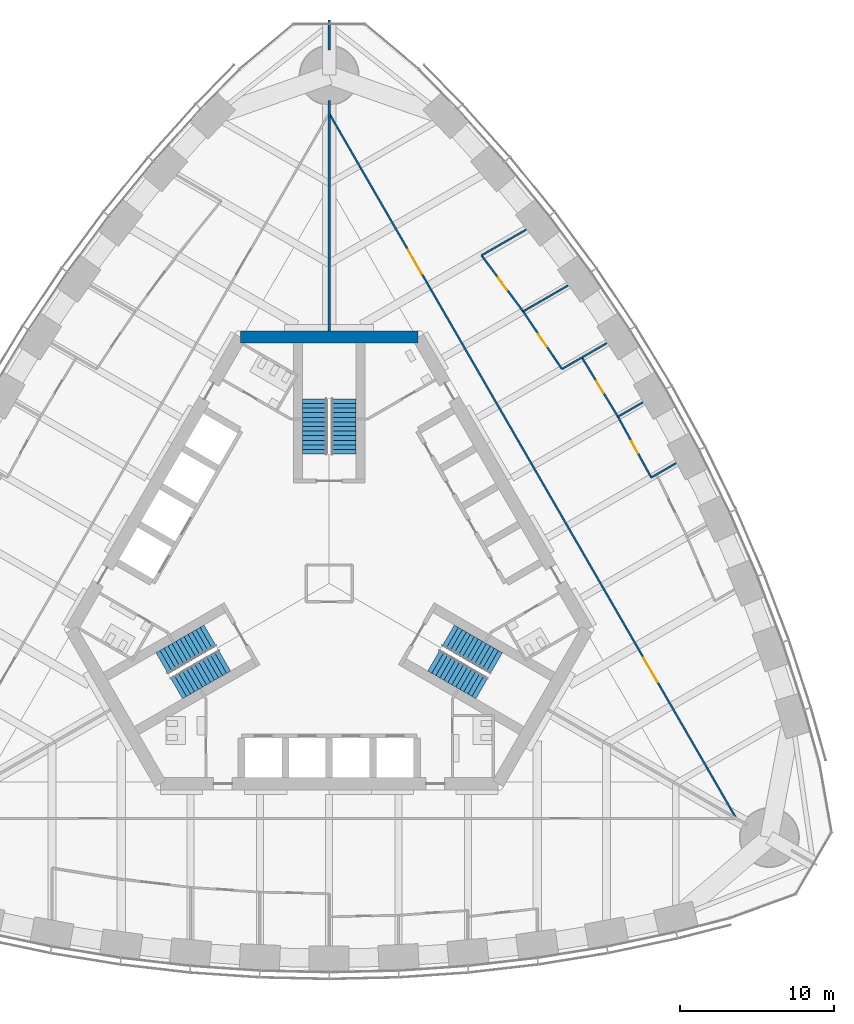
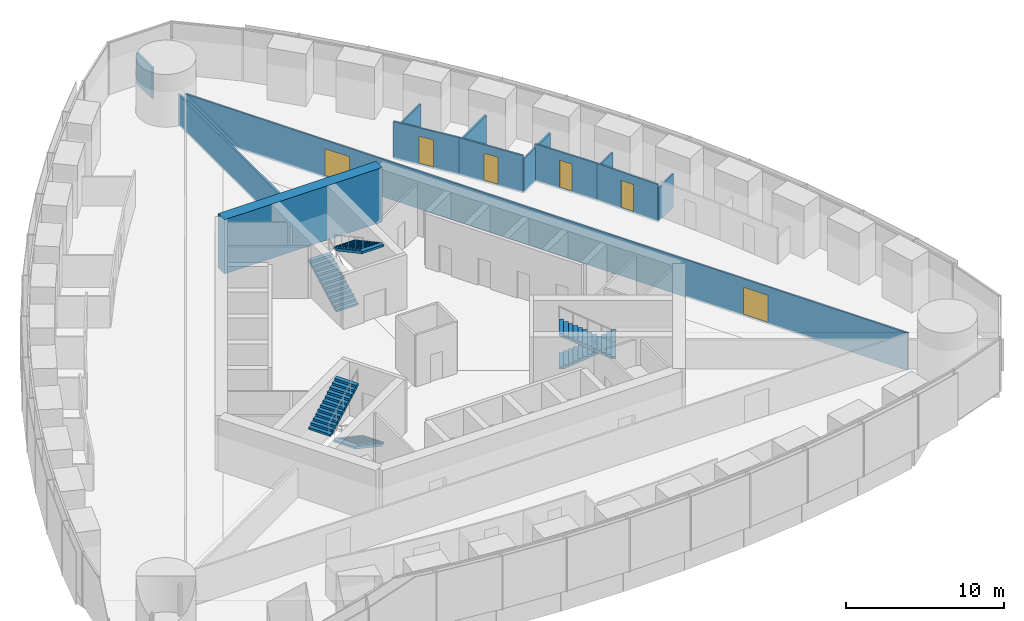
# One storey, part 14 of 19: 13 walls, 6 doors, 6 stair flights, 6 openings, 3 elements without a shape of their own.
"""IFC4 building model written with IfcOpenShell, lengths in metres."""

from ifc_helpers import new_model, si_unit, direction, frame, frame_2d, origin, place, context, subcontext, project, spatial, polyline, rectangle, outline, extrude, material, layer, layer_set, type_object, element, fill, aggregate, save


model = new_model("IFC4")

# Units and contexts
model_context = context("Model", 3, precision=1e-05, world=origin(), true_north=direction((0.0, 1.0)))
body_context = subcontext(model_context, "Body", "Model", "MODEL_VIEW")
ifc_project = project(units=[si_unit("LENGTHUNIT", "METRE"), si_unit("AREAUNIT", "SQUARE_METRE"), si_unit("VOLUMEUNIT", "CUBIC_METRE"), si_unit("PLANEANGLEUNIT", "RADIAN"), si_unit("MASSUNIT", "GRAM", prefix="KILO")], contexts=[model_context])

# Site, building, storey
site_placement = place(None, origin())
site = spatial("IfcSite", under=ifc_project, at=site_placement, CompositionType="ELEMENT")
building_placement = place(site_placement, origin())
building = spatial("IfcBuilding", under=site, at=building_placement, Name="Trefoil Bronze Tower", CompositionType="ELEMENT")
storey_placement = place(building_placement, frame((0.0, 0.0, 189.699951171875)))
storey = spatial("IfcBuildingStorey", under=building, at=storey_placement, Name="L43", CompositionType="ELEMENT", Elevation=189.699951171875)

# Wall
ifc_material_1 = material(Name="Concrete B80", Category="concrete")
ifc_layer_1 = layer(ifc_material_1, 0.800048828125)
ifc_layer_set_1 = layer_set([ifc_layer_1], Name="Core wall 800")
wall_type_1 = type_object("IfcWallType", Name="Core wall 800", PredefinedType="SHEAR", material=ifc_layer_set_1)
wall_1_placement = place(storey_placement, frame((5.7734375, 16.0, 0.0), z_axis=(0.0, 0.0, 1.0), x_axis=(-1.0, 0.0, 0.0)))
element("IfcWall", 1, at=wall_1_placement, inside=storey, type_object=wall_type_1, Name="Core short wall 2 L43", PredefinedType="SHEAR", context=body_context, shape_type="SweptSolid", body=[
    extrude(rectangle(XDim=11.546875, YDim=0.800048828125, at=frame_2d((5.7734375, 0.0))), origin(), (0.0, 0.0, 1.0), 4.199951171875),
])

# Wall, openings, doors
ifc_material_2 = material(Name="Glazed partition", Category="glass")
ifc_layer_2 = layer(ifc_material_2, 0.1201171875)
ifc_layer_set_2 = layer_set([ifc_layer_2], Name="Glazed partition 120")
wall_type_2 = type_object("IfcWallType", Name="Glazed partition 120", PredefinedType="PARTITIONING", material=ifc_layer_set_2)
wall_2_placement = place(storey_placement, frame((26.41455078125, -15.2314453125, 0.0), z_axis=(0.0, 0.0, 1.0), x_axis=(-0.50000091641, 0.866024874695, 0.0)))
wall_2 = element("IfcWall", 2, at=wall_2_placement, inside=storey, type_object=wall_type_2, Name="Partition F2 L43", PredefinedType="PARTITIONING", context=body_context, shape_type="SweptSolid", body=[
    extrude(rectangle(XDim=52.79638671875, YDim=0.1201171875, at=frame_2d((26.398193359375, 0.0))), origin(), (0.0, 0.0, 1.0), 2.900146484375),
])
opening_1_placement = place(wall_2_placement, frame((10.199951171875, 0.0, 0.14990234375)))
opening_1 = element("IfcOpeningElement", 3, at=opening_1_placement, cuts=wall_2, Name="Opening D10", PredefinedType="OPENING", context=body_context, shape_type="SweptSolid", body=[
    extrude(rectangle(XDim=1.800048828125, YDim=2.10009765625, at=frame_2d((0.89990234375, 1.050048828125))), frame((0.0, 0.070068359375, 0.0), z_axis=(0.0, -1.0, 0.0), x_axis=(1.0, 0.0, 0.0)), (0.0, 0.0, 1.0), 0.14013671875),
])
opening_2_placement = place(wall_2_placement, frame((40.800048828125, 0.0, 0.14990234375)))
opening_2 = element("IfcOpeningElement", 4, at=opening_2_placement, cuts=wall_2, Name="Opening D10", PredefinedType="OPENING", context=body_context, shape_type="SweptSolid", body=[
    extrude(rectangle(XDim=1.800048828125, YDim=2.10009765625, at=frame_2d((0.89990234375, 1.050048828125))), frame((0.0, 0.070068359375, 0.0), z_axis=(0.0, -1.0, 0.0), x_axis=(1.0, 0.0, 0.0)), (0.0, 0.0, 1.0), 0.14013671875),
])
ifc_material_3 = material(Name="Timber door", Category="wood")
door_type_1 = type_object("IfcDoorType", Name="Double door 1800", OperationType="DOUBLE_DOOR_SINGLE_SWING", PredefinedType="DOOR", material=ifc_material_3)
door_1_placement = place(opening_1_placement, origin())
door_1 = element("IfcDoor", 5, at=door_1_placement, inside=storey, type_object=door_type_1, Name="Corridor door F2 L43", OperationType="DOUBLE_DOOR_SINGLE_SWING", OverallHeight=2.10009765625, OverallWidth=1.800048828125, PredefinedType="DOOR", context=body_context, shape_type="SweptSolid", body=[
    extrude(rectangle(XDim=1.800048828125, YDim=2.10009765625, at=frame_2d((0.89990234375, 1.050048828125))), frame((0.0, 0.02490234375, 0.0), z_axis=(0.0, -1.0, 0.0), x_axis=(1.0, 0.0, 0.0)), (0.0, 0.0, 1.0), 0.050048828125),
])
fill(opening_1, door_1)
door_2_placement = place(opening_2_placement, origin())
door_2 = element("IfcDoor", 6, at=door_2_placement, inside=storey, type_object=door_type_1, Name="Corridor door F2 L43", OperationType="DOUBLE_DOOR_SINGLE_SWING", OverallHeight=2.10009765625, OverallWidth=1.800048828125, PredefinedType="DOOR", context=body_context, shape_type="SweptSolid", body=[
    extrude(rectangle(XDim=1.800048828125, YDim=2.10009765625, at=frame_2d((0.89990234375, 1.050048828125))), frame((0.0, 0.02490234375, 0.0), z_axis=(0.0, -1.0, 0.0), x_axis=(1.0, 0.0, 0.0)), (0.0, 0.0, 1.0), 0.050048828125),
])
fill(opening_2, door_2)

# Wall, opening, door
wall_3_placement = place(storey_placement, frame((18.75, 10.825439453125, 0.0), z_axis=(0.0, 0.0, 1.0), x_axis=(-0.519790350351, 0.85429385558, 0.0)))
wall_3 = element("IfcWall", 7, at=wall_3_placement, inside=storey, type_object=wall_type_2, Name="Partition F2 L43", PredefinedType="PARTITIONING", context=body_context, shape_type="SweptSolid", body=[
    extrude(rectangle(XDim=4.5009765625, YDim=0.1201171875, at=frame_2d((2.25048828125, 0.0))), origin(), (0.0, 0.0, 1.0), 2.900146484375),
])
opening_3_placement = place(wall_3_placement, frame((1.800048828125, 0.0, 0.14990234375)))
opening_3 = element("IfcOpeningElement", 8, at=opening_3_placement, cuts=wall_3, Name="Opening D8", PredefinedType="OPENING", context=body_context, shape_type="SweptSolid", body=[
    extrude(rectangle(XDim=0.89990234375, YDim=2.10009765625, at=frame_2d((0.449951171875, 1.050048828125))), frame((0.0, 0.070068359375, 0.0), z_axis=(0.0, -1.0, 0.0), x_axis=(1.0, 0.0, 0.0)), (0.0, 0.0, 1.0), 0.14013671875),
])
ifc_material_4 = material(Name="Timber door", Category="wood")
door_type_2 = type_object("IfcDoorType", Name="Office door 900", OperationType="SINGLE_SWING_LEFT", PredefinedType="DOOR", material=ifc_material_4)
door_3_placement = place(opening_3_placement, frame((0.89990234375, 0.0, 0.0), z_axis=(0.0, 0.0, 1.0), x_axis=(-1.0, 0.0, 0.0)))
door_3 = element("IfcDoor", 9, at=door_3_placement, inside=storey, type_object=door_type_2, Name="Focus room door F2 L43", OperationType="SINGLE_SWING_RIGHT", OverallHeight=2.10009765625, OverallWidth=0.89990234375, PredefinedType="DOOR", context=body_context, shape_type="SweptSolid", body=[
    extrude(rectangle(XDim=0.89990234375, YDim=2.10009765625, at=frame_2d((0.449951171875, 1.050048828125))), frame((0.0, 0.02490234375, 0.0), z_axis=(0.0, -1.0, 0.0), x_axis=(1.0, 0.0, 0.0)), (0.0, 0.0, 1.0), 0.050048828125),
])
fill(opening_3, door_3)

wall_4_placement = place(storey_placement, frame((15.111328125, 13.920654296875, 0.0), z_axis=(0.0, 0.0, 1.0), x_axis=(-0.558466624917, 0.829526991034, 0.0)))
wall_4 = element("IfcWall", 10, at=wall_4_placement, inside=storey, type_object=wall_type_2, Name="Partition F2 L43", PredefinedType="PARTITIONING", context=body_context, shape_type="SweptSolid", body=[
    extrude(rectangle(XDim=4.5107421875, YDim=0.1201171875, at=frame_2d((2.25537109375, 0.0))), origin(), (0.0, 0.0, 1.0), 2.900146484375),
])
opening_4_placement = place(wall_4_placement, frame((1.75, 0.0, 0.14990234375)))
opening_4 = element("IfcOpeningElement", 11, at=opening_4_placement, cuts=wall_4, Name="Opening D9", PredefinedType="OPENING", context=body_context, shape_type="SweptSolid", body=[
    extrude(rectangle(XDim=1.0, YDim=2.10009765625, at=frame_2d((0.5, 1.050048828125))), frame((0.0, 0.070068359375, 0.0), z_axis=(0.0, -1.0, 0.0), x_axis=(1.0, 0.0, 0.0)), (0.0, 0.0, 1.0), 0.14013671875),
])
ifc_material_5 = material(Name="Glazed timber door", Category="wood")
door_type_3 = type_object("IfcDoorType", Name="Meeting room door 1000", OperationType="SINGLE_SWING_LEFT", PredefinedType="DOOR", material=ifc_material_5)
door_4_placement = place(opening_4_placement, frame((1.0, 0.0, 0.0), z_axis=(0.0, 0.0, 1.0), x_axis=(-1.0, 0.0, 0.0)))
door_4 = element("IfcDoor", 12, at=door_4_placement, inside=storey, type_object=door_type_3, Name="Meeting room door F2 L43", OperationType="SINGLE_SWING_RIGHT", OverallHeight=2.10009765625, OverallWidth=1.0, PredefinedType="DOOR", context=body_context, shape_type="SweptSolid", body=[
    extrude(rectangle(XDim=1.0, YDim=2.10009765625, at=frame_2d((0.5, 1.050048828125))), frame((0.0, 0.02490234375, 0.0), z_axis=(0.0, -1.0, 0.0), x_axis=(1.0, 0.0, 0.0)), (0.0, 0.0, 1.0), 0.050048828125),
])
fill(opening_4, door_4)

wall_5_placement = place(storey_placement, frame((12.59228515625, 17.662353515625, 0.0), z_axis=(0.0, 0.0, 1.0), x_axis=(-0.596173167565, 0.802855873912, 0.0)))
wall_5 = element("IfcWall", 13, at=wall_5_placement, inside=storey, type_object=wall_type_2, Name="Partition F2 L43", PredefinedType="PARTITIONING", context=body_context, shape_type="SweptSolid", body=[
    extrude(rectangle(XDim=4.530029296875, YDim=0.1201171875, at=frame_2d((2.26513671875, 0.0))), origin(), (0.0, 0.0, 1.0), 2.900146484375),
])
opening_5_placement = place(wall_5_placement, frame((1.75, 0.0, 0.14990234375)))
opening_5 = element("IfcOpeningElement", 14, at=opening_5_placement, cuts=wall_5, Name="Opening D9", PredefinedType="OPENING", context=body_context, shape_type="SweptSolid", body=[
    extrude(rectangle(XDim=1.0, YDim=2.10009765625, at=frame_2d((0.5, 1.050048828125))), frame((0.0, 0.070068359375, 0.0), z_axis=(0.0, -1.0, 0.0), x_axis=(1.0, 0.0, 0.0)), (0.0, 0.0, 1.0), 0.14013671875),
])
door_5_placement = place(opening_5_placement, frame((1.0, 0.0, 0.0), z_axis=(0.0, 0.0, 1.0), x_axis=(-1.0, 0.0, 0.0)))
door_5 = element("IfcDoor", 15, at=door_5_placement, inside=storey, type_object=door_type_3, Name="Meeting room door F2 L43", OperationType="SINGLE_SWING_RIGHT", OverallHeight=2.10009765625, OverallWidth=1.0, PredefinedType="DOOR", context=body_context, shape_type="SweptSolid", body=[
    extrude(rectangle(XDim=1.0, YDim=2.10009765625, at=frame_2d((0.5, 1.050048828125))), frame((0.0, 0.02490234375, 0.0), z_axis=(0.0, -1.0, 0.0), x_axis=(1.0, 0.0, 0.0)), (0.0, 0.0, 1.0), 0.050048828125),
])
fill(opening_5, door_5)

wall_6_placement = place(storey_placement, frame((20.910400390625, 6.87646484375, 0.0), z_axis=(0.0, 0.0, 1.0), x_axis=(-0.479949984371, 0.877295852322, 0.0)))
wall_6 = element("IfcWall", 16, at=wall_6_placement, inside=storey, type_object=wall_type_2, Name="Partition F2 L43", PredefinedType="PARTITIONING", context=body_context, shape_type="SweptSolid", body=[
    extrude(rectangle(XDim=4.501220703125, YDim=0.1201171875, at=frame_2d((2.25048828125, 0.0))), origin(), (0.0, 0.0, 1.0), 2.900146484375),
])
opening_6_placement = place(wall_6_placement, frame((1.800048828125, 0.0, 0.14990234375)))
opening_6 = element("IfcOpeningElement", 17, at=opening_6_placement, cuts=wall_6, Name="Opening D8", PredefinedType="OPENING", context=body_context, shape_type="SweptSolid", body=[
    extrude(rectangle(XDim=0.89990234375, YDim=2.10009765625, at=frame_2d((0.449951171875, 1.050048828125))), frame((0.0, 0.070068359375, 0.0), z_axis=(0.0, -1.0, 0.0), x_axis=(1.0, 0.0, 0.0)), (0.0, 0.0, 1.0), 0.14013671875),
])
door_6_placement = place(opening_6_placement, frame((0.89990234375, 0.0, 0.0), z_axis=(0.0, 0.0, 1.0), x_axis=(-1.0, 0.0, 0.0)))
door_6 = element("IfcDoor", 18, at=door_6_placement, inside=storey, type_object=door_type_2, Name="Focus room door F2 L43", OperationType="SINGLE_SWING_RIGHT", OverallHeight=2.10009765625, OverallWidth=0.89990234375, PredefinedType="DOOR", context=body_context, shape_type="SweptSolid", body=[
    extrude(rectangle(XDim=0.89990234375, YDim=2.10009765625, at=frame_2d((0.449951171875, 1.050048828125))), frame((0.0, 0.02490234375, 0.0), z_axis=(0.0, -1.0, 0.0), x_axis=(1.0, 0.0, 0.0)), (0.0, 0.0, 1.0), 0.050048828125),
])
fill(opening_6, door_6)

# Walls
wall_7_placement = place(storey_placement, frame((18.75, 10.825439453125, 0.0), z_axis=(0.0, 0.0, 1.0), x_axis=(0.866057308191, 0.499944735875, 0.0)))
element("IfcWall", 19, at=wall_7_placement, inside=storey, type_object=wall_type_2, Name="Partition F2 L43", PredefinedType="PARTITIONING", context=body_context, shape_type="SweptSolid", body=[
    extrude(rectangle(XDim=1.869873046875, YDim=0.1201171875, at=frame_2d((0.93505859375, 0.0))), origin(), (0.0, 0.0, 1.0), 2.60009765625),
])
wall_8_placement = place(storey_placement, frame((9.8916015625, 21.29931640625, 0.0), z_axis=(0.0, 0.0, 1.0), x_axis=(0.866021963985, 0.50000595786, 0.0)))
element("IfcWall", 20, at=wall_8_placement, inside=storey, type_object=wall_type_2, Name="Partition F2 L43", PredefinedType="PARTITIONING", context=body_context, shape_type="SweptSolid", body=[
    extrude(rectangle(XDim=3.3544921875, YDim=0.1201171875, at=frame_2d((1.67724609375, 0.0))), origin(), (0.0, 0.0, 1.0), 2.199951171875),
])
wall_9_placement = place(storey_placement, frame((15.111328125, 13.920654296875, 0.0), z_axis=(0.0, 0.0, 1.0), x_axis=(0.865999698775, 0.50004451974, 0.0)))
element("IfcWall", 21, at=wall_9_placement, inside=storey, type_object=wall_type_2, Name="Partition F2 L43", PredefinedType="PARTITIONING", context=body_context, shape_type="SweptSolid", body=[
    extrude(rectangle(XDim=3.368408203125, YDim=0.1201171875, at=frame_2d((1.68408203125, 0.0))), origin(), (0.0, 0.0, 1.0), 2.60009765625),
])
wall_10_placement = place(storey_placement, frame((12.59228515625, 17.662353515625, 0.0), z_axis=(0.0, 0.0, 1.0), x_axis=(0.866000611782, 0.500042938549, 0.0)))
element("IfcWall", 22, at=wall_10_placement, inside=storey, type_object=wall_type_2, Name="Partition F2 L43", PredefinedType="PARTITIONING", context=body_context, shape_type="SweptSolid", body=[
    extrude(rectangle(XDim=3.363037109375, YDim=0.1201171875, at=frame_2d((1.681640625, 0.0))), origin(), (0.0, 0.0, 1.0), 2.60009765625),
])
wall_11_placement = place(storey_placement, frame((20.910400390625, 6.87646484375, 0.0), z_axis=(0.0, 0.0, 1.0), x_axis=(0.866031075672, 0.499990175874, 0.0)))
element("IfcWall", 23, at=wall_11_placement, inside=storey, type_object=wall_type_2, Name="Partition F2 L43", PredefinedType="PARTITIONING", context=body_context, shape_type="SweptSolid", body=[
    extrude(rectangle(XDim=1.8681640625, YDim=0.1201171875, at=frame_2d((0.93408203125, 0.0))), origin(), (0.0, 0.0, 1.0), 2.60009765625),
])
ifc_material_6 = material(Name="Gypsum board on steel studs", Category="steel")
ifc_layer_3 = layer(ifc_material_6, 0.14990234375)
ifc_layer_set_3 = layer_set([ifc_layer_3], Name="Party wall 150")
wall_type_3 = type_object("IfcWallType", Name="Party wall 150", PredefinedType="PARTITIONING", material=ifc_layer_set_3)
wall_12_placement = place(storey_placement, frame((0.0, 16.39990234375, 0.0), z_axis=(0.0, 0.0, 1.0), x_axis=(0.0, 1.0, 0.0)))
element("IfcWall", 24, at=wall_12_placement, inside=storey, type_object=wall_type_3, Name="Party wall K2 L43", PredefinedType="PARTITIONING", context=body_context, shape_type="SweptSolid", body=[
    extrude(rectangle(XDim=14.9501953125, YDim=0.14990234375, at=frame_2d((7.47509765625, 0.0))), origin(), (0.0, 0.0, 1.0), 2.400146484375),
])
wall_13_placement = place(storey_placement, frame((0.0, 34.64990234375, 0.0), z_axis=(0.0, 0.0, 1.0), x_axis=(0.0, 1.0, 0.0)))
element("IfcWall", 25, at=wall_13_placement, inside=storey, type_object=wall_type_3, Name="Party wall K2 L43", PredefinedType="PARTITIONING", context=body_context, shape_type="SweptSolid", body=[
    extrude(rectangle(XDim=1.934814453125, YDim=0.14990234375, at=frame_2d((0.96728515625, 0.0))), origin(), (0.0, 0.0, 1.0), 2.400146484375),
])

# Stair, stair flights
ifc_material_7 = material(Name="Precast concrete B80", Category="concrete")
stair_type = type_object("IfcStairType", Name="Exit stair 26 risers", PredefinedType="HALF_TURN_STAIR", material=ifc_material_7)
stair_1_placement = place(storey_placement, origin())
stair_1 = element("IfcStair", 26, at=stair_1_placement, inside=storey, type_object=stair_type, Name="Stair ST1 L43", PredefinedType="HALF_TURN_STAIR")
ifc_material_8 = material(Name="Precast concrete B80", Category="concrete")
stair_flight_type = type_object("IfcStairFlightType", Name="Stair flight 1600", PredefinedType="STRAIGHT", material=ifc_material_8)
stair_flight_1_placement = place(storey_placement, frame((7.728515625, -3.39404296875, 0.0), z_axis=(0.0, 0.0, 1.0), x_axis=(0.866025403784, -0.5, 0.0)))
stair_flight_1 = element("IfcStairFlight", 27, at=stair_flight_1_placement, type_object=stair_flight_type, Name="ST1 flight 1", NumberOfRisers=13, NumberOfTreads=12, PredefinedType="STRAIGHT", RiserHeight=0.161538462, TreadLength=0.3, context=body_context, shape_type="SweptSolid", body=[
    extrude(outline(polyline([(0.0, 0.0), (0.0, 0.16162109375), (0.300048828125, 0.16162109375), (0.300048828125, 0.322998046875), (0.60009765625, 0.322998046875), (0.60009765625, 0.484619140625), (0.89990234375, 0.484619140625), (0.89990234375, 0.646240234375), (1.199951171875, 0.646240234375), (1.199951171875, 0.8076171875), (1.5, 0.8076171875), (1.5, 0.96923828125), (1.800048828125, 0.96923828125), (1.800048828125, 1.130859375), (2.10009765625, 1.130859375), (2.10009765625, 1.292236328125), (2.39990234375, 1.292236328125), (2.39990234375, 1.453857421875), (2.699951171875, 1.453857421875), (2.699951171875, 1.615478515625), (3.0, 1.615478515625), (3.0, 1.77685546875), (3.300048828125, 1.77685546875), (3.300048828125, 1.9384765625), (3.60009765625, 1.9384765625), (3.60009765625, 2.10009765625), (3.60009765625, 1.768310546875), (0.316162109375, 0.0), (0.0, 0.0)])), frame((0.0, 0.800048828125, 0.0), z_axis=(0.0, -1.0, 0.0), x_axis=(1.0, 0.0, 0.0)), (0.0, 0.0, 1.0), 1.60009765625),
])
stair_flight_2_placement = place(storey_placement, frame((9.921142578125, -6.796142578125, 2.10009765625), z_axis=(0.0, 0.0, 1.0), x_axis=(-0.866025403784, 0.5, 0.0)))
stair_flight_2 = element("IfcStairFlight", 28, at=stair_flight_2_placement, type_object=stair_flight_type, Name="ST1 flight 2", NumberOfRisers=13, NumberOfTreads=12, PredefinedType="STRAIGHT", RiserHeight=0.161538462, TreadLength=0.3, context=body_context, shape_type="SweptSolid", body=[
    extrude(outline(polyline([(0.0, 0.0), (0.0, 0.16162109375), (0.300048828125, 0.16162109375), (0.300048828125, 0.322998046875), (0.60009765625, 0.322998046875), (0.60009765625, 0.484619140625), (0.89990234375, 0.484619140625), (0.89990234375, 0.646240234375), (1.199951171875, 0.646240234375), (1.199951171875, 0.8076171875), (1.5, 0.8076171875), (1.5, 0.96923828125), (1.800048828125, 0.96923828125), (1.800048828125, 1.130859375), (2.10009765625, 1.130859375), (2.10009765625, 1.292236328125), (2.39990234375, 1.292236328125), (2.39990234375, 1.453857421875), (2.699951171875, 1.453857421875), (2.699951171875, 1.615478515625), (3.0, 1.615478515625), (3.0, 1.77685546875), (3.300048828125, 1.77685546875), (3.300048828125, 1.9384765625), (3.60009765625, 1.9384765625), (3.60009765625, 2.10009765625), (3.60009765625, 1.768310546875), (0.316162109375, 0.0), (0.0, 0.0)])), frame((0.0, 0.800048828125, 0.0), z_axis=(0.0, -1.0, 0.0), x_axis=(1.0, 0.0, 0.0)), (0.0, 0.0, 1.0), 1.60009765625),
])
aggregate(stair_1, [stair_flight_1, stair_flight_2])

stair_2_placement = place(storey_placement, origin())
stair_2 = element("IfcStair", 29, at=stair_2_placement, inside=storey, type_object=stair_type, Name="Stair ST2 L43", PredefinedType="HALF_TURN_STAIR")
stair_flight_3_placement = place(storey_placement, frame((-0.925048828125, 8.389892578125, 0.0), z_axis=(0.0, 0.0, 1.0), x_axis=(0.0, 1.0, 0.0)))
stair_flight_3 = element("IfcStairFlight", 30, at=stair_flight_3_placement, type_object=stair_flight_type, Name="ST2 flight 1", NumberOfRisers=13, NumberOfTreads=12, PredefinedType="STRAIGHT", RiserHeight=0.161538462, TreadLength=0.3, context=body_context, shape_type="SweptSolid", body=[
    extrude(outline(polyline([(0.0, 0.0), (0.0, 0.16162109375), (0.300048828125, 0.16162109375), (0.300048828125, 0.322998046875), (0.60009765625, 0.322998046875), (0.60009765625, 0.484619140625), (0.89990234375, 0.484619140625), (0.89990234375, 0.646240234375), (1.199951171875, 0.646240234375), (1.199951171875, 0.8076171875), (1.5, 0.8076171875), (1.5, 0.96923828125), (1.800048828125, 0.96923828125), (1.800048828125, 1.130859375), (2.10009765625, 1.130859375), (2.10009765625, 1.292236328125), (2.39990234375, 1.292236328125), (2.39990234375, 1.453857421875), (2.699951171875, 1.453857421875), (2.699951171875, 1.615478515625), (3.0, 1.615478515625), (3.0, 1.77685546875), (3.300048828125, 1.77685546875), (3.300048828125, 1.9384765625), (3.60009765625, 1.9384765625), (3.60009765625, 2.10009765625), (3.60009765625, 1.768310546875), (0.316162109375, 0.0), (0.0, 0.0)])), frame((0.0, 0.800048828125, 0.0), z_axis=(0.0, -1.0, 0.0), x_axis=(1.0, 0.0, 0.0)), (0.0, 0.0, 1.0), 1.60009765625),
])
stair_flight_4_placement = place(storey_placement, frame((0.925048828125, 11.989990234375, 2.10009765625), z_axis=(0.0, 0.0, 1.0), x_axis=(0.0, -1.0, 0.0)))
stair_flight_4 = element("IfcStairFlight", 31, at=stair_flight_4_placement, type_object=stair_flight_type, Name="ST2 flight 2", NumberOfRisers=13, NumberOfTreads=12, PredefinedType="STRAIGHT", RiserHeight=0.161538462, TreadLength=0.3, context=body_context, shape_type="SweptSolid", body=[
    extrude(outline(polyline([(0.0, 0.0), (0.0, 0.16162109375), (0.300048828125, 0.16162109375), (0.300048828125, 0.322998046875), (0.60009765625, 0.322998046875), (0.60009765625, 0.484619140625), (0.89990234375, 0.484619140625), (0.89990234375, 0.646240234375), (1.199951171875, 0.646240234375), (1.199951171875, 0.8076171875), (1.5, 0.8076171875), (1.5, 0.96923828125), (1.800048828125, 0.96923828125), (1.800048828125, 1.130859375), (2.10009765625, 1.130859375), (2.10009765625, 1.292236328125), (2.39990234375, 1.292236328125), (2.39990234375, 1.453857421875), (2.699951171875, 1.453857421875), (2.699951171875, 1.615478515625), (3.0, 1.615478515625), (3.0, 1.77685546875), (3.300048828125, 1.77685546875), (3.300048828125, 1.9384765625), (3.60009765625, 1.9384765625), (3.60009765625, 2.10009765625), (3.60009765625, 1.768310546875), (0.316162109375, 0.0), (0.0, 0.0)])), frame((0.0, 0.800048828125, 0.0), z_axis=(0.0, -1.0, 0.0), x_axis=(1.0, 0.0, 0.0)), (0.0, 0.0, 1.0), 1.60009765625),
])
aggregate(stair_2, [stair_flight_3, stair_flight_4])

stair_3_placement = place(storey_placement, origin())
stair_3 = element("IfcStair", 32, at=stair_3_placement, inside=storey, type_object=stair_type, Name="Stair ST3 L43", PredefinedType="HALF_TURN_STAIR")
stair_flight_5_placement = place(storey_placement, frame((-6.803466796875, -4.99609375, 0.0), z_axis=(0.0, 0.0, 1.0), x_axis=(-0.866025403784, -0.5, 0.0)))
stair_flight_5 = element("IfcStairFlight", 33, at=stair_flight_5_placement, type_object=stair_flight_type, Name="ST3 flight 1", NumberOfRisers=13, NumberOfTreads=12, PredefinedType="STRAIGHT", RiserHeight=0.161538462, TreadLength=0.3, context=body_context, shape_type="SweptSolid", body=[
    extrude(outline(polyline([(0.0, 0.0), (0.0, 0.16162109375), (0.300048828125, 0.16162109375), (0.300048828125, 0.322998046875), (0.60009765625, 0.322998046875), (0.60009765625, 0.484619140625), (0.89990234375, 0.484619140625), (0.89990234375, 0.646240234375), (1.199951171875, 0.646240234375), (1.199951171875, 0.8076171875), (1.5, 0.8076171875), (1.5, 0.96923828125), (1.800048828125, 0.96923828125), (1.800048828125, 1.130859375), (2.10009765625, 1.130859375), (2.10009765625, 1.292236328125), (2.39990234375, 1.292236328125), (2.39990234375, 1.453857421875), (2.699951171875, 1.453857421875), (2.699951171875, 1.615478515625), (3.0, 1.615478515625), (3.0, 1.77685546875), (3.300048828125, 1.77685546875), (3.300048828125, 1.9384765625), (3.60009765625, 1.9384765625), (3.60009765625, 2.10009765625), (3.60009765625, 1.768310546875), (0.316162109375, 0.0), (0.0, 0.0)])), frame((0.0, 0.800048828125, 0.0), z_axis=(0.0, -1.0, 0.0), x_axis=(1.0, 0.0, 0.0)), (0.0, 0.0, 1.0), 1.60009765625),
])
stair_flight_6_placement = place(storey_placement, frame((-10.84619140625, -5.19384765625, 2.10009765625), z_axis=(0.0, 0.0, 1.0), x_axis=(0.866025403784, 0.5, 0.0)))
stair_flight_6 = element("IfcStairFlight", 34, at=stair_flight_6_placement, type_object=stair_flight_type, Name="ST3 flight 2", NumberOfRisers=13, NumberOfTreads=12, PredefinedType="STRAIGHT", RiserHeight=0.161538462, TreadLength=0.3, context=body_context, shape_type="SweptSolid", body=[
    extrude(outline(polyline([(0.0, 0.0), (0.0, 0.16162109375), (0.300048828125, 0.16162109375), (0.300048828125, 0.322998046875), (0.60009765625, 0.322998046875), (0.60009765625, 0.484619140625), (0.89990234375, 0.484619140625), (0.89990234375, 0.646240234375), (1.199951171875, 0.646240234375), (1.199951171875, 0.8076171875), (1.5, 0.8076171875), (1.5, 0.96923828125), (1.800048828125, 0.96923828125), (1.800048828125, 1.130859375), (2.10009765625, 1.130859375), (2.10009765625, 1.292236328125), (2.39990234375, 1.292236328125), (2.39990234375, 1.453857421875), (2.699951171875, 1.453857421875), (2.699951171875, 1.615478515625), (3.0, 1.615478515625), (3.0, 1.77685546875), (3.300048828125, 1.77685546875), (3.300048828125, 1.9384765625), (3.60009765625, 1.9384765625), (3.60009765625, 2.10009765625), (3.60009765625, 1.768310546875), (0.316162109375, 0.0), (0.0, 0.0)])), frame((0.0, 0.800048828125, 0.0), z_axis=(0.0, -1.0, 0.0), x_axis=(1.0, 0.0, 0.0)), (0.0, 0.0, 1.0), 1.60009765625),
])
aggregate(stair_3, [stair_flight_5, stair_flight_6])

save(model, "model.ifc")
